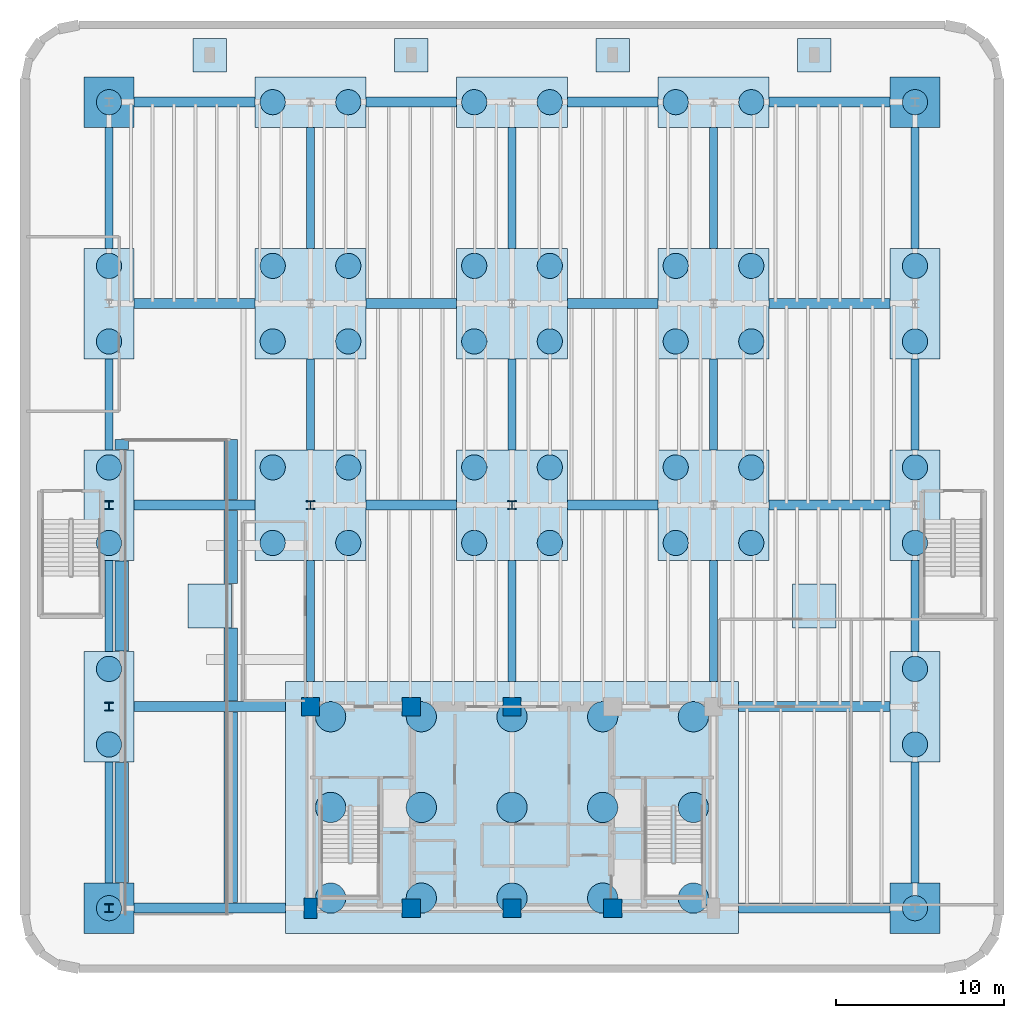
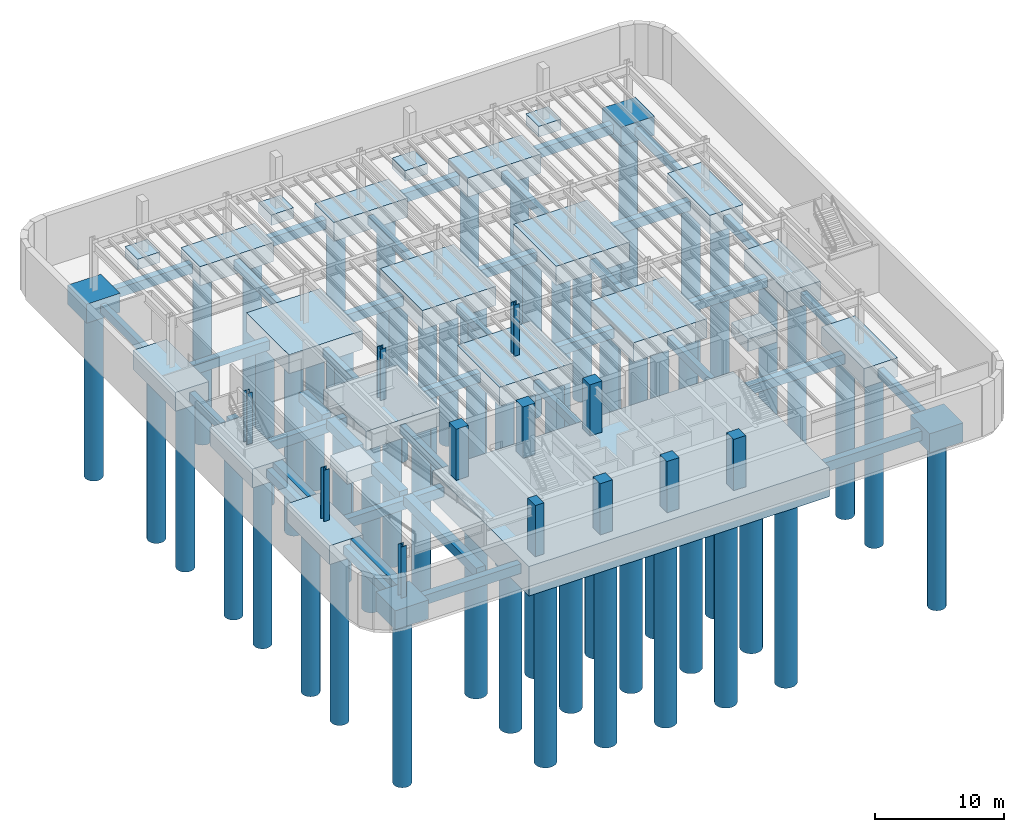
# One storey, part 1 of 9: 66 footings, 61 piles, 12 columns.
"""IFC4 building model written with IfcOpenShell, lengths in metres."""

from ifc_helpers import new_model, si_unit, direction, frame, origin, origin_2d, place, context, subcontext, project, spatial, rectangle, circle, i_section, extrude, source, transform, mapped, material, layer, layer_set, material_profile, profile_set, type_object, element, save


model = new_model("IFC4")

# Units and contexts
model_context = context("Model", 3, precision=1e-05, world=origin(), true_north=direction((0.0, 1.0)))
body_context = subcontext(model_context, "Body", "Model", "MODEL_VIEW")
ifc_project = project(units=[si_unit("LENGTHUNIT", "METRE"), si_unit("AREAUNIT", "SQUARE_METRE"), si_unit("VOLUMEUNIT", "CUBIC_METRE"), si_unit("PLANEANGLEUNIT", "RADIAN"), si_unit("MASSUNIT", "GRAM", prefix="KILO")], contexts=[model_context])

# Site, building, storey
site_placement = place(None, origin())
site = spatial("IfcSite", under=ifc_project, at=site_placement, CompositionType="ELEMENT")
building_placement = place(site_placement, origin())
building = spatial("IfcBuilding", under=site, at=building_placement, Name="Brelvock Crest Care Tower", CompositionType="ELEMENT")
storey_placement = place(building_placement, frame((0.0, 0.0, -4.860107421875)))
storey = spatial("IfcBuildingStorey", under=building, at=storey_placement, Name="B1", CompositionType="ELEMENT", Elevation=-4.860107421875)

# Footing
ifc_material_1 = material(Name="Concrete N50 (50 MPa)", Category="concrete")
ifc_layer_1 = layer(ifc_material_1, 2.800048828125, Name="FTG-RF1")
ifc_layer_set_1 = layer_set([ifc_layer_1], Name="Concrete N50 (50 MPa)")
footing_type_1 = type_object("IfcFootingType", Name="FTG-RF1", PredefinedType="PILE_CAP", material=ifc_layer_set_1)
shared_shape_1 = source(origin(), body_context, "Body", "SweptSolid", [
    extrude(rectangle(XDim=27.0, YDim=15.0, at=origin_2d()), origin(), (0.0, 0.0, 1.0), 2.800048828125),
])
footing_1_placement = place(storey_placement, frame((36.0, 12.0, -2.7998046875), z_axis=(0.0, 0.0, 1.0), x_axis=(1.0, 0.0, 0.0)))
element("IfcFooting", 1, at=footing_1_placement, inside=storey, type_object=footing_type_1, Name="Core Piled Raft RF1", PredefinedType="PILE_CAP", context=body_context, shape_type="MappedRepresentation", body=[
    mapped(shared_shape_1, transform((0.0, 0.0, 0.0), x_axis=(1.0, 0.0, 0.0), y_axis=(0.0, 1.0, 0.0), z_axis=(0.0, 0.0, 1.0), scale=1.0)),
])

# Piles
ifc_material_profile_1 = material_profile(ifc_material_1, circle(Radius=0.89990234375, at=origin_2d()), Name="BORED PILE D1800")
ifc_profile_set_1 = profile_set([ifc_material_profile_1], Name="Concrete N50 (50 MPa)")
pile_type_1 = type_object("IfcPileType", Name="PIL-P1", PredefinedType="BORED", material=ifc_profile_set_1)
shared_shape_2 = source(origin(), body_context, "Body", "SweptSolid", [
    extrude(circle(Radius=0.89990234375, at=origin_2d()), origin(), (0.0, 0.0, 1.0), 18.0),
])
for number, where, z_axis, x_axis, name in (
    (2, (25.199951171875, 6.60009765625, -2.699951171875), (0.0, 0.0, -1.0), (1.0, 0.0, 0.0), "Bored Pile P1-01"),
    (3, (25.199951171875, 12.0, -2.699951171875), (0.0, 0.0, -1.0), (1.0, 0.0, 0.0), "Bored Pile P1-02"),
    (4, (25.199951171875, 17.39990234375, -2.699951171875), (0.0, 0.0, -1.0), (1.0, 0.0, 0.0), "Bored Pile P1-03"),
    (5, (30.60009765625, 6.60009765625, -2.699951171875), (0.0, 0.0, -1.0), (1.0, 0.0, 0.0), "Bored Pile P1-04"),
    (6, (30.60009765625, 12.0, -2.699951171875), (0.0, 0.0, -1.0), (1.0, 0.0, 0.0), "Bored Pile P1-05"),
    (7, (30.60009765625, 17.39990234375, -2.699951171875), (0.0, 0.0, -1.0), (1.0, 0.0, 0.0), "Bored Pile P1-06"),
    (8, (36.0, 6.60009765625, -2.699951171875), (0.0, 0.0, -1.0), (1.0, 0.0, 0.0), "Bored Pile P1-07"),
    (9, (36.0, 12.0, -2.699951171875), (0.0, 0.0, -1.0), (1.0, 0.0, 0.0), "Bored Pile P1-08"),
    (10, (36.0, 17.39990234375, -2.699951171875), (0.0, 0.0, -1.0), (1.0, 0.0, 0.0), "Bored Pile P1-09"),
    (11, (41.39990234375, 6.60009765625, -2.699951171875), (0.0, 0.0, -1.0), (1.0, 0.0, 0.0), "Bored Pile P1-10"),
    (12, (41.39990234375, 12.0, -2.699951171875), (0.0, 0.0, -1.0), (1.0, 0.0, 0.0), "Bored Pile P1-11"),
    (13, (41.39990234375, 17.39990234375, -2.699951171875), (0.0, 0.0, -1.0), (1.0, 0.0, 0.0), "Bored Pile P1-12"),
    (14, (46.800048828125, 6.60009765625, -2.699951171875), (0.0, 0.0, -1.0), (1.0, 0.0, 0.0), "Bored Pile P1-13"),
    (15, (46.800048828125, 12.0, -2.699951171875), (0.0, 0.0, -1.0), (1.0, 0.0, 0.0), "Bored Pile P1-14"),
    (16, (46.800048828125, 17.39990234375, -2.699951171875), (0.0, 0.0, -1.0), (1.0, 0.0, 0.0), "Bored Pile P1-15"),
):
    element("IfcPile", number, at=place(storey_placement, frame(where, z_axis=z_axis, x_axis=x_axis)), inside=storey, type_object=pile_type_1, Name=name, PredefinedType="BORED", context=body_context, shape_type="MappedRepresentation", body=[
        mapped(shared_shape_2, transform((0.0, 0.0, 0.0), x_axis=(1.0, 0.0, 0.0), y_axis=(0.0, 1.0, 0.0), z_axis=(0.0, 0.0, 1.0), scale=1.0)),
    ])

# Footings
ifc_layer_2 = layer(ifc_material_1, 1.800048828125, Name="FTG-PC1")
ifc_layer_set_2 = layer_set([ifc_layer_2], Name="Concrete N50 (50 MPa)")
footing_type_2 = type_object("IfcFootingType", Name="FTG-PC1", PredefinedType="PILE_CAP", material=ifc_layer_set_2)
shared_shape_3 = source(origin(), body_context, "Body", "SweptSolid", [
    extrude(rectangle(XDim=6.60009765625, YDim=6.60009765625, at=origin_2d()), origin(), (0.0, 0.0, 1.0), 1.800048828125),
])
for number, where, z_axis, x_axis, name in (
    (17, (24.0, 30.0, -1.7998046875), (0.0, 0.0, 1.0), (1.0, 0.0, 0.0), "Pile Cap PC1-01"),
    (18, (36.0, 30.0, -1.7998046875), (0.0, 0.0, 1.0), (1.0, 0.0, 0.0), "Pile Cap PC1-02"),
    (19, (48.0, 30.0, -1.7998046875), (0.0, 0.0, 1.0), (1.0, 0.0, 0.0), "Pile Cap PC1-03"),
    (20, (24.0, 42.0, -1.7998046875), (0.0, 0.0, 1.0), (1.0, 0.0, 0.0), "Pile Cap PC1-04"),
    (21, (36.0, 42.0, -1.7998046875), (0.0, 0.0, 1.0), (1.0, 0.0, 0.0), "Pile Cap PC1-05"),
    (22, (48.0, 42.0, -1.7998046875), (0.0, 0.0, 1.0), (1.0, 0.0, 0.0), "Pile Cap PC1-06"),
):
    element("IfcFooting", number, at=place(storey_placement, frame(where, z_axis=z_axis, x_axis=x_axis)), inside=storey, type_object=footing_type_2, Name=name, PredefinedType="PILE_CAP", context=body_context, shape_type="MappedRepresentation", body=[
        mapped(shared_shape_3, transform((0.0, 0.0, 0.0), x_axis=(1.0, 0.0, 0.0), y_axis=(0.0, 1.0, 0.0), z_axis=(0.0, 0.0, 1.0), scale=1.0)),
    ])

# Piles
ifc_material_profile_2 = material_profile(ifc_material_1, circle(Radius=0.75, at=origin_2d()), Name="BORED PILE D1500")
ifc_profile_set_2 = profile_set([ifc_material_profile_2], Name="Concrete N50 (50 MPa)")
pile_type_2 = type_object("IfcPileType", Name="PIL-P2", PredefinedType="BORED", material=ifc_profile_set_2)
shared_shape_4 = source(origin(), body_context, "Body", "SweptSolid", [
    extrude(circle(Radius=0.75, at=origin_2d()), origin(), (0.0, 0.0, 1.0), 16.0),
])
for number, where, z_axis, x_axis, name in (
    (23, (21.75, 27.75, -1.699951171875), (0.0, 0.0, -1.0), (1.0, 0.0, 0.0), "Bored Pile P2-01"),
    (24, (26.25, 27.75, -1.699951171875), (0.0, 0.0, -1.0), (1.0, 0.0, 0.0), "Bored Pile P2-02"),
    (25, (21.75, 32.25, -1.699951171875), (0.0, 0.0, -1.0), (1.0, 0.0, 0.0), "Bored Pile P2-03"),
    (26, (26.25, 32.25, -1.699951171875), (0.0, 0.0, -1.0), (1.0, 0.0, 0.0), "Bored Pile P2-04"),
    (27, (33.75, 27.75, -1.699951171875), (0.0, 0.0, -1.0), (1.0, 0.0, 0.0), "Bored Pile P2-05"),
    (28, (38.25, 27.75, -1.699951171875), (0.0, 0.0, -1.0), (1.0, 0.0, 0.0), "Bored Pile P2-06"),
    (29, (33.75, 32.25, -1.699951171875), (0.0, 0.0, -1.0), (1.0, 0.0, 0.0), "Bored Pile P2-07"),
    (30, (38.25, 32.25, -1.699951171875), (0.0, 0.0, -1.0), (1.0, 0.0, 0.0), "Bored Pile P2-08"),
    (31, (45.75, 27.75, -1.699951171875), (0.0, 0.0, -1.0), (1.0, 0.0, 0.0), "Bored Pile P2-09"),
    (32, (50.25, 27.75, -1.699951171875), (0.0, 0.0, -1.0), (1.0, 0.0, 0.0), "Bored Pile P2-10"),
    (33, (45.75, 32.25, -1.699951171875), (0.0, 0.0, -1.0), (1.0, 0.0, 0.0), "Bored Pile P2-11"),
    (34, (50.25, 32.25, -1.699951171875), (0.0, 0.0, -1.0), (1.0, 0.0, 0.0), "Bored Pile P2-12"),
    (35, (21.75, 39.75, -1.699951171875), (0.0, 0.0, -1.0), (1.0, 0.0, 0.0), "Bored Pile P2-13"),
    (36, (26.25, 39.75, -1.699951171875), (0.0, 0.0, -1.0), (1.0, 0.0, 0.0), "Bored Pile P2-14"),
    (37, (21.75, 44.25, -1.699951171875), (0.0, 0.0, -1.0), (1.0, 0.0, 0.0), "Bored Pile P2-15"),
    (38, (26.25, 44.25, -1.699951171875), (0.0, 0.0, -1.0), (1.0, 0.0, 0.0), "Bored Pile P2-16"),
    (39, (33.75, 39.75, -1.699951171875), (0.0, 0.0, -1.0), (1.0, 0.0, 0.0), "Bored Pile P2-17"),
    (40, (38.25, 39.75, -1.699951171875), (0.0, 0.0, -1.0), (1.0, 0.0, 0.0), "Bored Pile P2-18"),
    (41, (33.75, 44.25, -1.699951171875), (0.0, 0.0, -1.0), (1.0, 0.0, 0.0), "Bored Pile P2-19"),
    (42, (38.25, 44.25, -1.699951171875), (0.0, 0.0, -1.0), (1.0, 0.0, 0.0), "Bored Pile P2-20"),
    (43, (45.75, 39.75, -1.699951171875), (0.0, 0.0, -1.0), (1.0, 0.0, 0.0), "Bored Pile P2-21"),
    (44, (50.25, 39.75, -1.699951171875), (0.0, 0.0, -1.0), (1.0, 0.0, 0.0), "Bored Pile P2-22"),
    (45, (45.75, 44.25, -1.699951171875), (0.0, 0.0, -1.0), (1.0, 0.0, 0.0), "Bored Pile P2-23"),
    (46, (50.25, 44.25, -1.699951171875), (0.0, 0.0, -1.0), (1.0, 0.0, 0.0), "Bored Pile P2-24"),
    (47, (21.75, 54.0, -1.699951171875), (0.0, 0.0, -1.0), (1.0, 0.0, 0.0), "Bored Pile P2-25"),
    (48, (26.25, 54.0, -1.699951171875), (0.0, 0.0, -1.0), (1.0, 0.0, 0.0), "Bored Pile P2-26"),
    (49, (33.75, 54.0, -1.699951171875), (0.0, 0.0, -1.0), (1.0, 0.0, 0.0), "Bored Pile P2-27"),
    (50, (38.25, 54.0, -1.699951171875), (0.0, 0.0, -1.0), (1.0, 0.0, 0.0), "Bored Pile P2-28"),
    (51, (45.75, 54.0, -1.699951171875), (0.0, 0.0, -1.0), (1.0, 0.0, 0.0), "Bored Pile P2-29"),
    (52, (50.25, 54.0, -1.699951171875), (0.0, 0.0, -1.0), (1.0, 0.0, 0.0), "Bored Pile P2-30"),
    (53, (12.0, 15.75, -1.699951171875), (0.0, 0.0, -1.0), (1.0, 0.0, 0.0), "Bored Pile P2-31"),
    (54, (12.0, 20.25, -1.699951171875), (0.0, 0.0, -1.0), (1.0, 0.0, 0.0), "Bored Pile P2-32"),
    (55, (12.0, 27.75, -1.699951171875), (0.0, 0.0, -1.0), (1.0, 0.0, 0.0), "Bored Pile P2-33"),
    (56, (12.0, 32.25, -1.699951171875), (0.0, 0.0, -1.0), (1.0, 0.0, 0.0), "Bored Pile P2-34"),
    (57, (12.0, 39.75, -1.699951171875), (0.0, 0.0, -1.0), (1.0, 0.0, 0.0), "Bored Pile P2-35"),
    (58, (12.0, 44.25, -1.699951171875), (0.0, 0.0, -1.0), (1.0, 0.0, 0.0), "Bored Pile P2-36"),
    (59, (60.0, 15.75, -1.699951171875), (0.0, 0.0, -1.0), (1.0, 0.0, 0.0), "Bored Pile P2-37"),
    (60, (60.0, 20.25, -1.699951171875), (0.0, 0.0, -1.0), (1.0, 0.0, 0.0), "Bored Pile P2-38"),
    (61, (60.0, 27.75, -1.699951171875), (0.0, 0.0, -1.0), (1.0, 0.0, 0.0), "Bored Pile P2-39"),
    (62, (60.0, 32.25, -1.699951171875), (0.0, 0.0, -1.0), (1.0, 0.0, 0.0), "Bored Pile P2-40"),
    (63, (60.0, 39.75, -1.699951171875), (0.0, 0.0, -1.0), (1.0, 0.0, 0.0), "Bored Pile P2-41"),
    (64, (60.0, 44.25, -1.699951171875), (0.0, 0.0, -1.0), (1.0, 0.0, 0.0), "Bored Pile P2-42"),
    (65, (12.0, 6.0, -1.699951171875), (0.0, 0.0, -1.0), (1.0, 0.0, 0.0), "Bored Pile P2-43"),
    (66, (60.0, 6.0, -1.699951171875), (0.0, 0.0, -1.0), (1.0, 0.0, 0.0), "Bored Pile P2-44"),
    (67, (12.0, 54.0, -1.699951171875), (0.0, 0.0, -1.0), (1.0, 0.0, 0.0), "Bored Pile P2-45"),
    (68, (60.0, 54.0, -1.699951171875), (0.0, 0.0, -1.0), (1.0, 0.0, 0.0), "Bored Pile P2-46"),
):
    element("IfcPile", number, at=place(storey_placement, frame(where, z_axis=z_axis, x_axis=x_axis)), inside=storey, type_object=pile_type_2, Name=name, PredefinedType="BORED", context=body_context, shape_type="MappedRepresentation", body=[
        mapped(shared_shape_4, transform((0.0, 0.0, 0.0), x_axis=(1.0, 0.0, 0.0), y_axis=(0.0, 1.0, 0.0), z_axis=(0.0, 0.0, 1.0), scale=1.0)),
    ])

# Footings
ifc_layer_3 = layer(ifc_material_1, 1.800048828125, Name="FTG-PC2")
ifc_layer_set_3 = layer_set([ifc_layer_3], Name="Concrete N50 (50 MPa)")
footing_type_3 = type_object("IfcFootingType", Name="FTG-PC2", PredefinedType="PILE_CAP", material=ifc_layer_set_3)
shared_shape_5 = source(origin(), body_context, "Body", "SweptSolid", [
    extrude(rectangle(XDim=6.60009765625, YDim=3.0, at=origin_2d()), origin(), (0.0, 0.0, 1.0), 1.800048828125),
])
for number, where, z_axis, x_axis, name in (
    (69, (24.0, 54.0, -1.7998046875), (0.0, 0.0, 1.0), (1.0, 0.0, 0.0), "Pile Cap PC2-07"),
    (70, (36.0, 54.0, -1.7998046875), (0.0, 0.0, 1.0), (1.0, 0.0, 0.0), "Pile Cap PC2-08"),
    (71, (48.0, 54.0, -1.7998046875), (0.0, 0.0, 1.0), (1.0, 0.0, 0.0), "Pile Cap PC2-09"),
):
    element("IfcFooting", number, at=place(storey_placement, frame(where, z_axis=z_axis, x_axis=x_axis)), inside=storey, type_object=footing_type_3, Name=name, PredefinedType="PILE_CAP", context=body_context, shape_type="MappedRepresentation", body=[
        mapped(shared_shape_5, transform((0.0, 0.0, 0.0), x_axis=(1.0, 0.0, 0.0), y_axis=(0.0, 1.0, 0.0), z_axis=(0.0, 0.0, 1.0), scale=1.0)),
    ])
ifc_layer_4 = layer(ifc_material_1, 1.800048828125, Name="FTG-PC3")
ifc_layer_set_4 = layer_set([ifc_layer_4], Name="Concrete N50 (50 MPa)")
footing_type_4 = type_object("IfcFootingType", Name="FTG-PC3", PredefinedType="PILE_CAP", material=ifc_layer_set_4)
shared_shape_6 = source(origin(), body_context, "Body", "SweptSolid", [
    extrude(rectangle(XDim=3.0, YDim=6.60009765625, at=origin_2d()), origin(), (0.0, 0.0, 1.0), 1.800048828125),
])
for number, where, z_axis, x_axis, name in (
    (72, (12.0, 18.0, -1.7998046875), (0.0, 0.0, 1.0), (1.0, 0.0, 0.0), "Pile Cap PC3-10"),
    (73, (12.0, 30.0, -1.7998046875), (0.0, 0.0, 1.0), (1.0, 0.0, 0.0), "Pile Cap PC3-11"),
    (74, (12.0, 42.0, -1.7998046875), (0.0, 0.0, 1.0), (1.0, 0.0, 0.0), "Pile Cap PC3-12"),
    (75, (60.0, 18.0, -1.7998046875), (0.0, 0.0, 1.0), (1.0, 0.0, 0.0), "Pile Cap PC3-13"),
    (76, (60.0, 30.0, -1.7998046875), (0.0, 0.0, 1.0), (1.0, 0.0, 0.0), "Pile Cap PC3-14"),
    (77, (60.0, 42.0, -1.7998046875), (0.0, 0.0, 1.0), (1.0, 0.0, 0.0), "Pile Cap PC3-15"),
):
    element("IfcFooting", number, at=place(storey_placement, frame(where, z_axis=z_axis, x_axis=x_axis)), inside=storey, type_object=footing_type_4, Name=name, PredefinedType="PILE_CAP", context=body_context, shape_type="MappedRepresentation", body=[
        mapped(shared_shape_6, transform((0.0, 0.0, 0.0), x_axis=(1.0, 0.0, 0.0), y_axis=(0.0, 1.0, 0.0), z_axis=(0.0, 0.0, 1.0), scale=1.0)),
    ])
ifc_layer_5 = layer(ifc_material_1, 1.800048828125, Name="FTG-PC4")
ifc_layer_set_5 = layer_set([ifc_layer_5], Name="Concrete N50 (50 MPa)")
footing_type_5 = type_object("IfcFootingType", Name="FTG-PC4", PredefinedType="PILE_CAP", material=ifc_layer_set_5)
shared_shape_7 = source(origin(), body_context, "Body", "SweptSolid", [
    extrude(rectangle(XDim=3.0, YDim=3.0, at=origin_2d()), origin(), (0.0, 0.0, 1.0), 1.800048828125),
])
for number, where, z_axis, x_axis, name in (
    (78, (12.0, 6.0, -1.7998046875), (0.0, 0.0, 1.0), (1.0, 0.0, 0.0), "Pile Cap PC4-16"),
    (79, (60.0, 6.0, -1.7998046875), (0.0, 0.0, 1.0), (1.0, 0.0, 0.0), "Pile Cap PC4-17"),
    (80, (12.0, 54.0, -1.7998046875), (0.0, 0.0, 1.0), (1.0, 0.0, 0.0), "Pile Cap PC4-18"),
    (81, (60.0, 54.0, -1.7998046875), (0.0, 0.0, 1.0), (1.0, 0.0, 0.0), "Pile Cap PC4-19"),
):
    element("IfcFooting", number, at=place(storey_placement, frame(where, z_axis=z_axis, x_axis=x_axis)), inside=storey, type_object=footing_type_5, Name=name, PredefinedType="PILE_CAP", context=body_context, shape_type="MappedRepresentation", body=[
        mapped(shared_shape_7, transform((0.0, 0.0, 0.0), x_axis=(1.0, 0.0, 0.0), y_axis=(0.0, 1.0, 0.0), z_axis=(0.0, 0.0, 1.0), scale=1.0)),
    ])
ifc_layer_6 = layer(ifc_material_1, 1.199951171875, Name="FTG-PF1")
ifc_layer_set_6 = layer_set([ifc_layer_6], Name="Concrete N50 (50 MPa)")
footing_type_6 = type_object("IfcFootingType", Name="FTG-PF1", PredefinedType="PAD_FOOTING", material=ifc_layer_set_6)
shared_shape_8 = source(origin(), body_context, "Body", "SweptSolid", [
    extrude(rectangle(XDim=2.60009765625, YDim=2.60009765625, at=origin_2d()), origin(), (0.0, 0.0, 1.0), 1.199951171875),
])
for number, where, z_axis, x_axis, name in (
    (82, (18.0, 24.0, -1.19970703125), (0.0, 0.0, 1.0), (1.0, 0.0, 0.0), "Pad Footing PF1-01"),
    (83, (54.0, 24.0, -1.19970703125), (0.0, 0.0, 1.0), (1.0, 0.0, 0.0), "Pad Footing PF1-02"),
):
    element("IfcFooting", number, at=place(storey_placement, frame(where, z_axis=z_axis, x_axis=x_axis)), inside=storey, type_object=footing_type_6, Name=name, PredefinedType="PAD_FOOTING", context=body_context, shape_type="MappedRepresentation", body=[
        mapped(shared_shape_8, transform((0.0, 0.0, 0.0), x_axis=(1.0, 0.0, 0.0), y_axis=(0.0, 1.0, 0.0), z_axis=(0.0, 0.0, 1.0), scale=1.0)),
    ])
ifc_layer_7 = layer(ifc_material_1, 1.0, Name="FTG-PF2")
ifc_layer_set_7 = layer_set([ifc_layer_7], Name="Concrete N50 (50 MPa)")
footing_type_7 = type_object("IfcFootingType", Name="FTG-PF2", PredefinedType="PAD_FOOTING", material=ifc_layer_set_7)
shared_shape_9 = source(origin(), body_context, "Body", "SweptSolid", [
    extrude(rectangle(XDim=2.0, YDim=2.0, at=origin_2d()), origin(), (0.0, 0.0, 1.0), 1.0),
])
for number, where, z_axis, x_axis, name in (
    (84, (18.0, 56.800048828125, -1.0), (0.0, 0.0, 1.0), (1.0, 0.0, 0.0), "Pad Footing PF2-03"),
    (85, (30.0, 56.800048828125, -1.0), (0.0, 0.0, 1.0), (1.0, 0.0, 0.0), "Pad Footing PF2-04"),
    (86, (42.0, 56.800048828125, -1.0), (0.0, 0.0, 1.0), (1.0, 0.0, 0.0), "Pad Footing PF2-05"),
    (87, (54.0, 56.800048828125, -1.0), (0.0, 0.0, 1.0), (1.0, 0.0, 0.0), "Pad Footing PF2-06"),
):
    element("IfcFooting", number, at=place(storey_placement, frame(where, z_axis=z_axis, x_axis=x_axis)), inside=storey, type_object=footing_type_7, Name=name, PredefinedType="PAD_FOOTING", context=body_context, shape_type="MappedRepresentation", body=[
        mapped(shared_shape_9, transform((0.0, 0.0, 0.0), x_axis=(1.0, 0.0, 0.0), y_axis=(0.0, 1.0, 0.0), z_axis=(0.0, 0.0, 1.0), scale=1.0)),
    ])
footing_type_8 = type_object("IfcFootingType", Name="FTG-GB1", PredefinedType="FOOTING_BEAM", material=ifc_material_1)
shared_shape_10 = source(origin(), body_context, "Body", "SweptSolid", [
    extrude(rectangle(XDim=9.0, YDim=0.60009765625, at=origin_2d()), origin(), (0.0, 0.0, 1.0), 0.89990234375),
])
for number, where, z_axis, x_axis, name in (
    (88, (18.0, 6.0, -1.349853515625), (0.0, 0.0, 1.0), (1.0, 0.0, 0.0), "Ground Tie Beam GB1-01"),
    (89, (54.0, 6.0, -1.349853515625), (0.0, 0.0, 1.0), (1.0, 0.0, 0.0), "Ground Tie Beam GB1-02"),
    (90, (18.0, 18.0, -1.349853515625), (0.0, 0.0, 1.0), (1.0, 0.0, 0.0), "Ground Tie Beam GB1-03"),
    (91, (54.0, 18.0, -1.349853515625), (0.0, 0.0, 1.0), (1.0, 0.0, 0.0), "Ground Tie Beam GB1-04"),
):
    element("IfcFooting", number, at=place(storey_placement, frame(where, z_axis=z_axis, x_axis=x_axis)), inside=storey, type_object=footing_type_8, Name=name, PredefinedType="FOOTING_BEAM", context=body_context, shape_type="MappedRepresentation", body=[
        mapped(shared_shape_10, transform((0.0, 0.0, 0.0), x_axis=(1.0, 0.0, 0.0), y_axis=(0.0, 1.0, 0.0), z_axis=(0.0, 0.0, 1.0), scale=1.0)),
    ])
shared_shape_11 = source(origin(), body_context, "Body", "SweptSolid", [
    extrude(rectangle(XDim=7.199951171875, YDim=0.60009765625, at=origin_2d()), origin(), (0.0, 0.0, 1.0), 0.89990234375),
])
for number, where, z_axis, x_axis, name in (
    (92, (17.10009765625, 30.0, -1.349853515625), (0.0, 0.0, 1.0), (1.0, 0.0, 0.0), "Ground Tie Beam GB1-05"),
    (93, (54.89990234375, 30.0, -1.349853515625), (0.0, 0.0, 1.0), (1.0, 0.0, 0.0), "Ground Tie Beam GB1-08"),
    (94, (17.10009765625, 42.0, -1.349853515625), (0.0, 0.0, 1.0), (1.0, 0.0, 0.0), "Ground Tie Beam GB1-09"),
    (95, (54.89990234375, 42.0, -1.349853515625), (0.0, 0.0, 1.0), (1.0, 0.0, 0.0), "Ground Tie Beam GB1-12"),
    (96, (17.10009765625, 54.0, -1.349853515625), (0.0, 0.0, 1.0), (1.0, 0.0, 0.0), "Ground Tie Beam GB1-13"),
    (97, (54.89990234375, 54.0, -1.349853515625), (0.0, 0.0, 1.0), (1.0, 0.0, 0.0), "Ground Tie Beam GB1-16"),
):
    element("IfcFooting", number, at=place(storey_placement, frame(where, z_axis=z_axis, x_axis=x_axis)), inside=storey, type_object=footing_type_8, Name=name, PredefinedType="FOOTING_BEAM", context=body_context, shape_type="MappedRepresentation", body=[
        mapped(shared_shape_11, transform((0.0, 0.0, 0.0), x_axis=(1.0, 0.0, 0.0), y_axis=(0.0, 1.0, 0.0), z_axis=(0.0, 0.0, 1.0), scale=1.0)),
    ])
shared_shape_12 = source(origin(), body_context, "Body", "SweptSolid", [
    extrude(rectangle(XDim=5.39990234375, YDim=0.60009765625, at=origin_2d()), origin(), (0.0, 0.0, 1.0), 0.89990234375),
])
for number, where, z_axis, x_axis, name in (
    (98, (30.0, 30.0, -1.349853515625), (0.0, 0.0, 1.0), (1.0, 0.0, 0.0), "Ground Tie Beam GB1-06"),
    (99, (42.0, 30.0, -1.349853515625), (0.0, 0.0, 1.0), (1.0, 0.0, 0.0), "Ground Tie Beam GB1-07"),
    (100, (30.0, 42.0, -1.349853515625), (0.0, 0.0, 1.0), (1.0, 0.0, 0.0), "Ground Tie Beam GB1-10"),
    (101, (42.0, 42.0, -1.349853515625), (0.0, 0.0, 1.0), (1.0, 0.0, 0.0), "Ground Tie Beam GB1-11"),
    (102, (30.0, 54.0, -1.349853515625), (0.0, 0.0, 1.0), (1.0, 0.0, 0.0), "Ground Tie Beam GB1-14"),
    (103, (42.0, 54.0, -1.349853515625), (0.0, 0.0, 1.0), (1.0, 0.0, 0.0), "Ground Tie Beam GB1-15"),
):
    element("IfcFooting", number, at=place(storey_placement, frame(where, z_axis=z_axis, x_axis=x_axis)), inside=storey, type_object=footing_type_8, Name=name, PredefinedType="FOOTING_BEAM", context=body_context, shape_type="MappedRepresentation", body=[
        mapped(shared_shape_12, transform((0.0, 0.0, 0.0), x_axis=(1.0, 0.0, 0.0), y_axis=(0.0, 1.0, 0.0), z_axis=(0.0, 0.0, 1.0), scale=1.0)),
    ])
footing_type_9 = type_object("IfcFootingType", Name="FTG-GB2", PredefinedType="FOOTING_BEAM", material=ifc_material_1)
shared_shape_13 = source(origin(), body_context, "Body", "SweptSolid", [
    extrude(rectangle(XDim=7.199951171875, YDim=0.5, at=origin_2d()), origin(), (0.0, 0.0, 1.0), 0.800048828125),
])
for number, where, z_axis, x_axis, name in (
    (104, (12.0, 11.10009765625, -1.25), (0.0, 0.0, 1.0), (0.0, 1.0, 0.0), "Ground Tie Beam GB2-17"),
    (105, (12.0, 48.89990234375, -1.25), (0.0, 0.0, 1.0), (0.0, 1.0, 0.0), "Ground Tie Beam GB2-20"),
    (106, (60.0, 11.10009765625, -1.25), (0.0, 0.0, 1.0), (0.0, 1.0, 0.0), "Ground Tie Beam GB2-21"),
    (107, (60.0, 48.89990234375, -1.25), (0.0, 0.0, 1.0), (0.0, 1.0, 0.0), "Ground Tie Beam GB2-24"),
    (108, (24.0, 23.10009765625, -1.25), (0.0, 0.0, 1.0), (0.0, 1.0, 0.0), "Ground Tie Beam GB2-25"),
    (109, (24.0, 48.89990234375, -1.25), (0.0, 0.0, 1.0), (0.0, 1.0, 0.0), "Ground Tie Beam GB2-27"),
    (110, (36.0, 23.10009765625, -1.25), (0.0, 0.0, 1.0), (0.0, 1.0, 0.0), "Ground Tie Beam GB2-28"),
    (111, (36.0, 48.89990234375, -1.25), (0.0, 0.0, 1.0), (0.0, 1.0, 0.0), "Ground Tie Beam GB2-30"),
    (112, (48.0, 23.10009765625, -1.25), (0.0, 0.0, 1.0), (0.0, 1.0, 0.0), "Ground Tie Beam GB2-31"),
    (113, (48.0, 48.89990234375, -1.25), (0.0, 0.0, 1.0), (0.0, 1.0, 0.0), "Ground Tie Beam GB2-33"),
):
    element("IfcFooting", number, at=place(storey_placement, frame(where, z_axis=z_axis, x_axis=x_axis)), inside=storey, type_object=footing_type_9, Name=name, PredefinedType="FOOTING_BEAM", context=body_context, shape_type="MappedRepresentation", body=[
        mapped(shared_shape_13, transform((0.0, 0.0, 0.0), x_axis=(1.0, 0.0, 0.0), y_axis=(0.0, 1.0, 0.0), z_axis=(0.0, 0.0, 1.0), scale=1.0)),
    ])
shared_shape_14 = source(origin(), body_context, "Body", "SweptSolid", [
    extrude(rectangle(XDim=5.39990234375, YDim=0.5, at=origin_2d()), origin(), (0.0, 0.0, 1.0), 0.800048828125),
])
for number, where, z_axis, x_axis, name in (
    (114, (12.0, 24.0, -1.25), (0.0, 0.0, 1.0), (0.0, 1.0, 0.0), "Ground Tie Beam GB2-18"),
    (115, (12.0, 36.0, -1.25), (0.0, 0.0, 1.0), (0.0, 1.0, 0.0), "Ground Tie Beam GB2-19"),
    (116, (60.0, 24.0, -1.25), (0.0, 0.0, 1.0), (0.0, 1.0, 0.0), "Ground Tie Beam GB2-22"),
    (117, (60.0, 36.0, -1.25), (0.0, 0.0, 1.0), (0.0, 1.0, 0.0), "Ground Tie Beam GB2-23"),
    (118, (24.0, 36.0, -1.25), (0.0, 0.0, 1.0), (0.0, 1.0, 0.0), "Ground Tie Beam GB2-26"),
    (119, (36.0, 36.0, -1.25), (0.0, 0.0, 1.0), (0.0, 1.0, 0.0), "Ground Tie Beam GB2-29"),
    (120, (48.0, 36.0, -1.25), (0.0, 0.0, 1.0), (0.0, 1.0, 0.0), "Ground Tie Beam GB2-32"),
):
    element("IfcFooting", number, at=place(storey_placement, frame(where, z_axis=z_axis, x_axis=x_axis)), inside=storey, type_object=footing_type_9, Name=name, PredefinedType="FOOTING_BEAM", context=body_context, shape_type="MappedRepresentation", body=[
        mapped(shared_shape_14, transform((0.0, 0.0, 0.0), x_axis=(1.0, 0.0, 0.0), y_axis=(0.0, 1.0, 0.0), z_axis=(0.0, 0.0, 1.0), scale=1.0)),
    ])
shared_shape_15 = source(origin(), body_context, "Body", "SweptSolid", [
    extrude(rectangle(XDim=7.14990234375, YDim=0.800048828125, at=origin_2d()), origin(), (0.0, 0.0, 1.0), 0.89990234375),
])
footing_2_placement = place(storey_placement, frame((12.75, 11.10009765625, -0.89990234375), z_axis=(0.0, 0.0, 1.0), x_axis=(0.0, 1.0, 0.0)))
element("IfcFooting", 121, at=footing_2_placement, inside=storey, type_object=footing_type_8, Name="Vehicle Ramp Strip Footing W1", PredefinedType="FOOTING_BEAM", context=body_context, shape_type="MappedRepresentation", body=[
    mapped(shared_shape_15, transform((0.0, 0.0, 0.0), x_axis=(1.0, 0.0, 0.0), y_axis=(0.0, 1.0, 0.0), z_axis=(0.0, 0.0, 1.0), scale=1.0)),
])
shared_shape_16 = source(origin(), body_context, "Body", "SweptSolid", [
    extrude(rectangle(XDim=5.35009765625, YDim=0.800048828125, at=origin_2d()), origin(), (0.0, 0.0, 1.0), 0.89990234375),
])
footing_3_placement = place(storey_placement, frame((12.75, 24.0, -0.89990234375), z_axis=(0.0, 0.0, 1.0), x_axis=(0.0, 1.0, 0.0)))
element("IfcFooting", 122, at=footing_3_placement, inside=storey, type_object=footing_type_8, Name="Vehicle Ramp Strip Footing W2", PredefinedType="FOOTING_BEAM", context=body_context, shape_type="MappedRepresentation", body=[
    mapped(shared_shape_16, transform((0.0, 0.0, 0.0), x_axis=(1.0, 0.0, 0.0), y_axis=(0.0, 1.0, 0.0), z_axis=(0.0, 0.0, 1.0), scale=1.0)),
])
shared_shape_17 = source(origin(), body_context, "Body", "SweptSolid", [
    extrude(rectangle(XDim=0.60009765625, YDim=0.800048828125, at=origin_2d()), origin(), (0.0, 0.0, 1.0), 0.89990234375),
])
footing_4_placement = place(storey_placement, frame((12.75, 33.625, -0.89990234375), z_axis=(0.0, 0.0, 1.0), x_axis=(0.0, 1.0, 0.0)))
element("IfcFooting", 123, at=footing_4_placement, inside=storey, type_object=footing_type_8, Name="Vehicle Ramp Strip Footing W3", PredefinedType="FOOTING_BEAM", context=body_context, shape_type="MappedRepresentation", body=[
    mapped(shared_shape_17, transform((0.0, 0.0, 0.0), x_axis=(1.0, 0.0, 0.0), y_axis=(0.0, 1.0, 0.0), z_axis=(0.0, 0.0, 1.0), scale=1.0)),
])
shared_shape_18 = source(origin(), body_context, "Body", "SweptSolid", [
    extrude(rectangle(XDim=11.35009765625, YDim=0.800048828125, at=origin_2d()), origin(), (0.0, 0.0, 1.0), 0.89990234375),
])
footing_5_placement = place(storey_placement, frame((19.25, 12.0, -0.89990234375), z_axis=(0.0, 0.0, 1.0), x_axis=(0.0, 1.0, 0.0)))
element("IfcFooting", 124, at=footing_5_placement, inside=storey, type_object=footing_type_8, Name="Vehicle Ramp Strip Footing E1", PredefinedType="FOOTING_BEAM", context=body_context, shape_type="MappedRepresentation", body=[
    mapped(shared_shape_18, transform((0.0, 0.0, 0.0), x_axis=(1.0, 0.0, 0.0), y_axis=(0.0, 1.0, 0.0), z_axis=(0.0, 0.0, 1.0), scale=1.0)),
])
shared_shape_19 = source(origin(), body_context, "Body", "SweptSolid", [
    extrude(rectangle(XDim=4.35009765625, YDim=0.800048828125, at=origin_2d()), origin(), (0.0, 0.0, 1.0), 0.89990234375),
])
for number, where, z_axis, x_axis, name in (
    (125, (19.25, 20.5, -0.89990234375), (0.0, 0.0, 1.0), (0.0, 1.0, 0.0), "Vehicle Ramp Strip Footing E2"),
    (126, (19.25, 27.5, -0.89990234375), (0.0, 0.0, 1.0), (0.0, 1.0, 0.0), "Vehicle Ramp Strip Footing E3"),
):
    element("IfcFooting", number, at=place(storey_placement, frame(where, z_axis=z_axis, x_axis=x_axis)), inside=storey, type_object=footing_type_8, Name=name, PredefinedType="FOOTING_BEAM", context=body_context, shape_type="MappedRepresentation", body=[
        mapped(shared_shape_19, transform((0.0, 0.0, 0.0), x_axis=(1.0, 0.0, 0.0), y_axis=(0.0, 1.0, 0.0), z_axis=(0.0, 0.0, 1.0), scale=1.0)),
    ])
shared_shape_20 = source(origin(), body_context, "Body", "SweptSolid", [
    extrude(rectangle(XDim=3.60009765625, YDim=0.800048828125, at=origin_2d()), origin(), (0.0, 0.0, 1.0), 0.89990234375),
])
footing_6_placement = place(storey_placement, frame((19.25, 32.125, -0.89990234375), z_axis=(0.0, 0.0, 1.0), x_axis=(0.0, 1.0, 0.0)))
element("IfcFooting", 127, at=footing_6_placement, inside=storey, type_object=footing_type_8, Name="Vehicle Ramp Strip Footing E4", PredefinedType="FOOTING_BEAM", context=body_context, shape_type="MappedRepresentation", body=[
    mapped(shared_shape_20, transform((0.0, 0.0, 0.0), x_axis=(1.0, 0.0, 0.0), y_axis=(0.0, 1.0, 0.0), z_axis=(0.0, 0.0, 1.0), scale=1.0)),
])

# Columns
ifc_material_2 = material(Name="Concrete S80 (80 MPa)", Category="concrete")
ifc_material_profile_3 = material_profile(ifc_material_2, rectangle(XDim=0.800048828125, YDim=1.199951171875, at=origin_2d()), Name="RC800x1200")
ifc_profile_set_3 = profile_set([ifc_material_profile_3], Name="Concrete S80 (80 MPa)")
column_type_1 = type_object("IfcColumnType", Name="COL-RC5", PredefinedType="COLUMN", material=ifc_profile_set_3)
shared_shape_21 = source(origin(), body_context, "Body", "SweptSolid", [
    extrude(rectangle(XDim=0.800048828125, YDim=1.199951171875, at=origin_2d()), origin(), (0.0, 0.0, 1.0), 4.860107421875),
])
column_placement = place(storey_placement, frame((24.0, 6.0, 0.0), z_axis=(0.0, 0.0, 1.0), x_axis=(1.0, 0.0, 0.0)))
element("IfcColumn", 128, at=column_placement, inside=storey, type_object=column_type_1, Name="B1 Core Column CC-01", PredefinedType="COLUMN", context=body_context, shape_type="MappedRepresentation", body=[
    mapped(shared_shape_21, transform((0.0, 0.0, 0.0), x_axis=(1.0, 0.0, 0.0), y_axis=(0.0, 1.0, 0.0), z_axis=(0.0, 0.0, 1.0), scale=1.0)),
])
ifc_material_profile_4 = material_profile(ifc_material_2, rectangle(XDim=1.10009765625, YDim=1.10009765625, at=origin_2d()), Name="RC1100x1100")
ifc_profile_set_4 = profile_set([ifc_material_profile_4], Name="Concrete S80 (80 MPa)")
column_type_2 = type_object("IfcColumnType", Name="COL-RC1", PredefinedType="COLUMN", material=ifc_profile_set_4)
shared_shape_22 = source(origin(), body_context, "Body", "SweptSolid", [
    extrude(rectangle(XDim=1.10009765625, YDim=1.10009765625, at=origin_2d()), origin(), (0.0, 0.0, 1.0), 4.860107421875),
])
for number, where, z_axis, x_axis, name in (
    (129, (30.0, 6.0, 0.0), (0.0, 0.0, 1.0), (1.0, 0.0, 0.0), "B1 Core Column CC-02"),
    (130, (36.0, 6.0, 0.0), (0.0, 0.0, 1.0), (1.0, 0.0, 0.0), "B1 Core Column CC-03"),
    (131, (42.0, 6.0, 0.0), (0.0, 0.0, 1.0), (1.0, 0.0, 0.0), "B1 Core Column CC-04"),
    (132, (24.0, 18.0, 0.0), (0.0, 0.0, 1.0), (1.0, 0.0, 0.0), "B1 Core Column CC-06"),
    (133, (30.0, 18.0, 0.0), (0.0, 0.0, 1.0), (1.0, 0.0, 0.0), "B1 Core Column CC-07"),
    (134, (36.0, 18.0, 0.0), (0.0, 0.0, 1.0), (1.0, 0.0, 0.0), "B1 Core Column CC-08"),
):
    element("IfcColumn", number, at=place(storey_placement, frame(where, z_axis=z_axis, x_axis=x_axis)), inside=storey, type_object=column_type_2, Name=name, PredefinedType="COLUMN", context=body_context, shape_type="MappedRepresentation", body=[
        mapped(shared_shape_22, transform((0.0, 0.0, 0.0), x_axis=(1.0, 0.0, 0.0), y_axis=(0.0, 1.0, 0.0), z_axis=(0.0, 0.0, 1.0), scale=1.0)),
    ])
ifc_material_3 = material(Name="Steel Grade 350", Category="steel")
ifc_material_profile_5 = material_profile(ifc_material_3, i_section(OverallWidth=0.5, OverallDepth=0.5, WebThickness=0.028076171875, FlangeThickness=0.044921875, at=origin_2d()), Name="500WC440")
ifc_profile_set_5 = profile_set([ifc_material_profile_5], Name="Steel Grade 350")
column_type_3 = type_object("IfcColumnType", Name="COL-PC1", PredefinedType="COLUMN", material=ifc_profile_set_5)
shared_shape_23 = source(origin(), body_context, "Body", "SweptSolid", [
    extrude(i_section(OverallWidth=0.5, OverallDepth=0.5, WebThickness=0.028076171875, FlangeThickness=0.044921875, at=origin_2d()), origin(), (0.0, 0.0, 1.0), 4.860107421875),
])
for number, where, z_axis, x_axis, name in (
    (135, (12.0, 6.0, 0.0), (0.0, 0.0, 1.0), (1.0, 0.0, 0.0), "B1 Podium Column PC-01"),
    (136, (12.0, 18.0, 0.0), (0.0, 0.0, 1.0), (1.0, 0.0, 0.0), "B1 Podium Column PC-03"),
    (137, (12.0, 30.0, 0.0), (0.0, 0.0, 1.0), (1.0, 0.0, 0.0), "B1 Podium Column PC-05"),
    (138, (24.0, 30.0, 0.0), (0.0, 0.0, 1.0), (1.0, 0.0, 0.0), "B1 Podium Column PC-06"),
    (139, (36.0, 30.0, 0.0), (0.0, 0.0, 1.0), (1.0, 0.0, 0.0), "B1 Podium Column PC-07"),
):
    element("IfcColumn", number, at=place(storey_placement, frame(where, z_axis=z_axis, x_axis=x_axis)), inside=storey, type_object=column_type_3, Name=name, PredefinedType="COLUMN", context=body_context, shape_type="MappedRepresentation", body=[
        mapped(shared_shape_23, transform((0.0, 0.0, 0.0), x_axis=(1.0, 0.0, 0.0), y_axis=(0.0, 1.0, 0.0), z_axis=(0.0, 0.0, 1.0), scale=1.0)),
    ])

save(model, "model.ifc")
